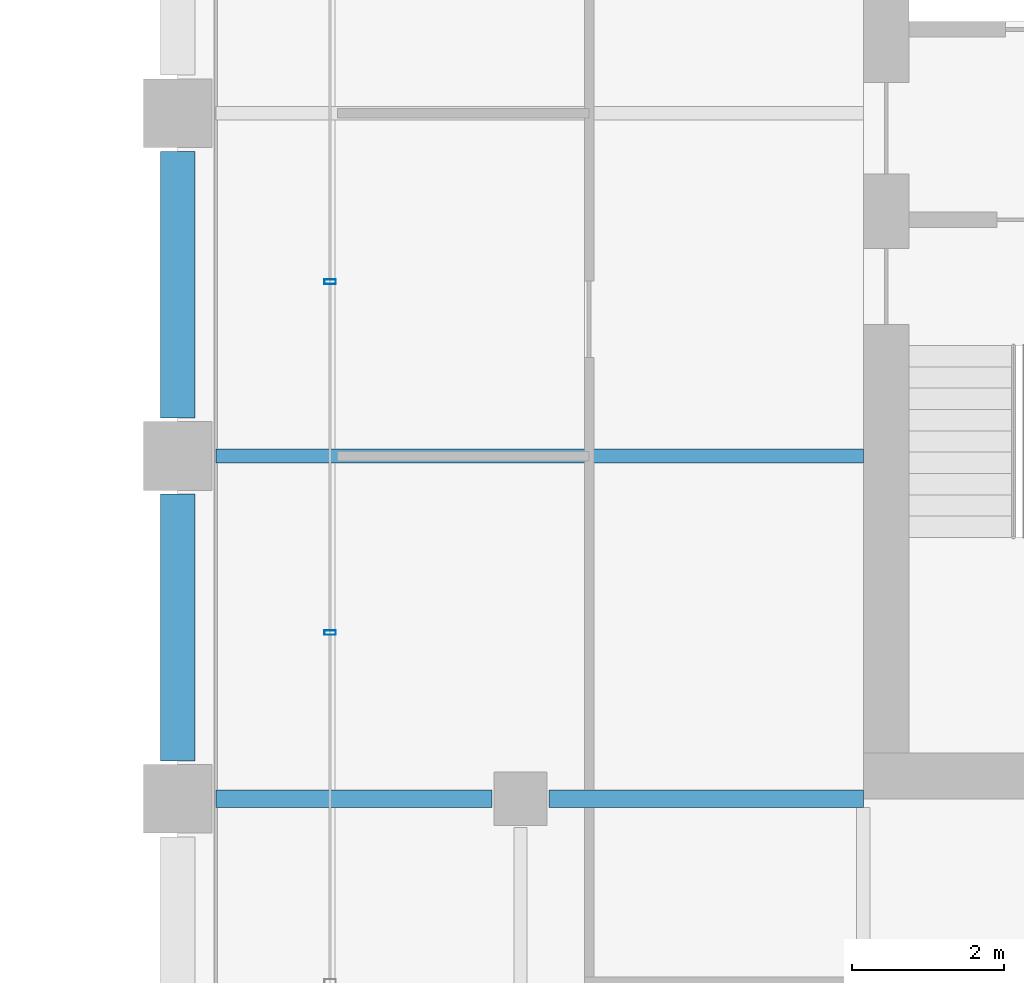
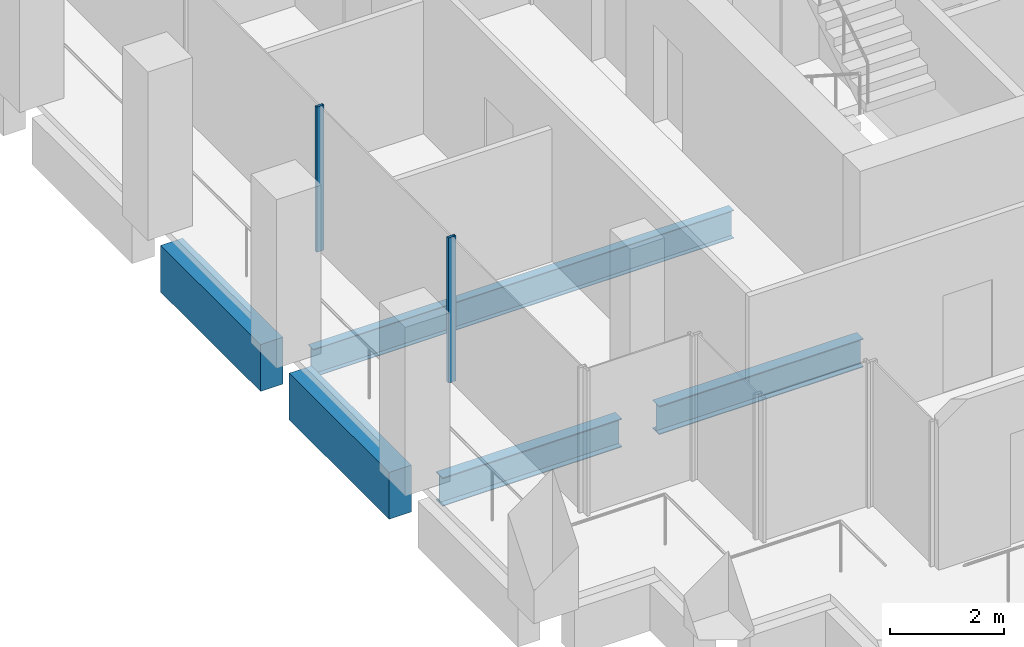
# One storey, part 30 of 44: 5 beams, 2 members, 1 element without a shape of its own.
"""IFC4 building model written with IfcOpenShell, lengths in metres."""

from ifc_helpers import new_model, si_unit, direction, frame, origin, origin_2d, place, context, subcontext, project, spatial, rectangle, hollow_rectangle, i_section, extrude, material, material_profile, profile_set, type_object, element, aggregate, save


model = new_model("IFC4")

# Units and contexts
model_context = context("Model", 3, precision=1e-05, world=origin(), true_north=direction((0.0, 1.0)))
body_context = subcontext(model_context, "Body", "Model", "MODEL_VIEW")
ifc_project = project(units=[si_unit("LENGTHUNIT", "METRE"), si_unit("AREAUNIT", "SQUARE_METRE"), si_unit("VOLUMEUNIT", "CUBIC_METRE"), si_unit("PLANEANGLEUNIT", "RADIAN"), si_unit("MASSUNIT", "GRAM", prefix="KILO")], contexts=[model_context])

# Site, building, storey
site_placement = place(None, origin())
site = spatial("IfcSite", under=ifc_project, at=site_placement, CompositionType="ELEMENT")
building_placement = place(site_placement, origin())
building = spatial("IfcBuilding", under=site, at=building_placement, Name="Altepetl Exchange Towers", CompositionType="ELEMENT")
storey_placement = place(building_placement, frame((0.0, 0.0, 143.800048828125)))
storey = spatial("IfcBuildingStorey", under=building, at=storey_placement, Name="L35", CompositionType="ELEMENT", Elevation=143.800048828125)

# Beams
ifc_material_1 = material(Name="Steel S355", Category="steel")
ifc_material_profile_1 = material_profile(ifc_material_1, i_section(OverallWidth=0.177978515625, OverallDepth=0.59912109375, WebThickness=0.010009765625, FlangeThickness=0.0126953125, at=origin_2d()), Name="W24X55")
ifc_profile_set_1 = profile_set([ifc_material_profile_1], Name="Steel S355")
beam_type_1 = type_object("IfcBeamType", Name="Floor beam W24X55", PredefinedType="BEAM", material=ifc_profile_set_1)
beam_1_placement = place(storey_placement, frame((95.0, 40.5, -0.449462890625), z_axis=(1.0, 0.0, 0.0), x_axis=(0.0, 1.0, 0.0)))
element("IfcBeam", 1, at=beam_1_placement, inside=storey, type_object=beam_type_1, Name="bm:B:L35:004", PredefinedType="BEAM", context=body_context, shape_type="SweptSolid", body=[
    extrude(i_section(OverallWidth=0.177978515625, OverallDepth=0.59912109375, WebThickness=0.010009765625, FlangeThickness=0.0126953125, at=origin_2d()), origin(), (0.0, 0.0, 1.0), 8.5),
])
ifc_material_profile_2 = material_profile(ifc_material_1, i_section(OverallWidth=0.22802734375, OverallDepth=0.60791015625, WebThickness=0.01123046875, FlangeThickness=0.017333984375, at=origin_2d()), Name="W24X76")
ifc_profile_set_2 = profile_set([ifc_material_profile_2], Name="Steel S355")
beam_type_2 = type_object("IfcBeamType", Name="Girder W24X76", PredefinedType="BEAM", material=ifc_profile_set_2)
beam_2_placement = place(storey_placement, frame((103.5, 36.0, -0.4541015625), z_axis=(-1.0, 0.0, 0.0), x_axis=(0.0, -1.0, 0.0)))
element("IfcBeam", 2, at=beam_2_placement, inside=storey, type_object=beam_type_2, Name="gd:B:L35:000", PredefinedType="BEAM", context=body_context, shape_type="SweptSolid", body=[
    extrude(i_section(OverallWidth=0.22802734375, OverallDepth=0.60791015625, WebThickness=0.01123046875, FlangeThickness=0.017333984375, at=origin_2d()), origin(), (0.0, 0.0, 1.0), 4.125),
])
beam_3_placement = place(storey_placement, frame((98.625, 36.0, -0.4541015625), z_axis=(-1.0, 0.0, 0.0), x_axis=(0.0, -1.0, 0.0)))
element("IfcBeam", 3, at=beam_3_placement, inside=storey, type_object=beam_type_2, Name="gd:B:L35:001", PredefinedType="BEAM", context=body_context, shape_type="SweptSolid", body=[
    extrude(i_section(OverallWidth=0.22802734375, OverallDepth=0.60791015625, WebThickness=0.01123046875, FlangeThickness=0.017333984375, at=origin_2d()), origin(), (0.0, 0.0, 1.0), 3.625),
])

# Curtain wall, members
ifc_material_2 = material(Name="Aluminium 6063-T6 glazing", Category="aluminium")
curtain_wall_type = type_object("IfcCurtainWallType", Name="Loggia glazing system", PredefinedType="NOTDEFINED", material=ifc_material_2)
curtain_wall_placement = place(storey_placement, origin())
curtain_wall = element("IfcCurtainWall", 4, at=curtain_wall_placement, inside=storey, type_object=curtain_wall_type, Name="CW1 run", PredefinedType="NOTDEFINED")
ifc_material_3 = material(Name="Aluminium 6063-T6", Category="aluminium")
ifc_material_profile_3 = material_profile(ifc_material_3, hollow_rectangle(XDim=0.06005859375, YDim=0.14990234375, WallThickness=0.0029296875, at=origin_2d()), Name="Mullion 60x150 aluminium")
ifc_profile_set_3 = profile_set([ifc_material_profile_3], Name="Aluminium 6063-T6")
member_type = type_object("IfcMemberType", Name="Mullion 60x150 aluminium", PredefinedType="MULLION", material=ifc_profile_set_3)
member_1_placement = place(storey_placement, frame((96.5, 42.78759765625, 0.0), z_axis=(0.0, 0.0, 1.0), x_axis=(0.0, -1.0, 0.0)))
member_1 = element("IfcMember", 5, at=member_1_placement, type_object=member_type, Name="MU1 mullion", PredefinedType="MULLION", context=body_context, shape_type="SweptSolid", body=[
    extrude(hollow_rectangle(XDim=0.06005859375, YDim=0.14990234375, WallThickness=0.0029296875, at=origin_2d()), origin(), (0.0, 0.0, 1.0), 3.099853515625),
])
member_2_placement = place(storey_placement, frame((96.5, 38.18115234375, 0.0), z_axis=(0.0, 0.0, 1.0), x_axis=(0.0, -1.0, 0.0)))
member_2 = element("IfcMember", 6, at=member_2_placement, type_object=member_type, Name="MU1 mullion", PredefinedType="MULLION", context=body_context, shape_type="SweptSolid", body=[
    extrude(hollow_rectangle(XDim=0.06005859375, YDim=0.14990234375, WallThickness=0.0029296875, at=origin_2d()), origin(), (0.0, 0.0, 1.0), 3.099853515625),
])
aggregate(curtain_wall, [member_1, member_2])

# Beams
ifc_material_4 = material(Name="Concrete C50/60 precast with cantera rosa facing", Category="concrete")
ifc_material_profile_4 = material_profile(ifc_material_4, rectangle(XDim=0.449951171875, YDim=1.0, at=origin_2d()), Name="450 x 1000")
ifc_profile_set_4 = profile_set([ifc_material_profile_4], Name="Concrete C50/60 precast with cantera rosa facing")
beam_type_3 = type_object("IfcBeamType", Name="Spandrel beam 450x1000 cantera rosa", PredefinedType="SPANDREL", material=ifc_profile_set_4)
for number, where, z_axis, x_axis, name in (
    (7, (94.5, 44.5, -0.650146484375), (0.0, -1.0, 0.0), (1.0, 0.0, 0.0), "sp:B:L35:017"),
    (8, (94.5, 40.0, -0.650146484375), (0.0, -1.0, 0.0), (1.0, 0.0, 0.0), "sp:B:L35:018"),
):
    element("IfcBeam", number, at=place(storey_placement, frame(where, z_axis=z_axis, x_axis=x_axis)), inside=storey, type_object=beam_type_3, Name=name, PredefinedType="SPANDREL", context=body_context, shape_type="SweptSolid", body=[
        extrude(rectangle(XDim=0.449951171875, YDim=1.0, at=origin_2d()), origin(), (0.0, 0.0, 1.0), 3.5),
    ])

save(model, "model.ifc")
